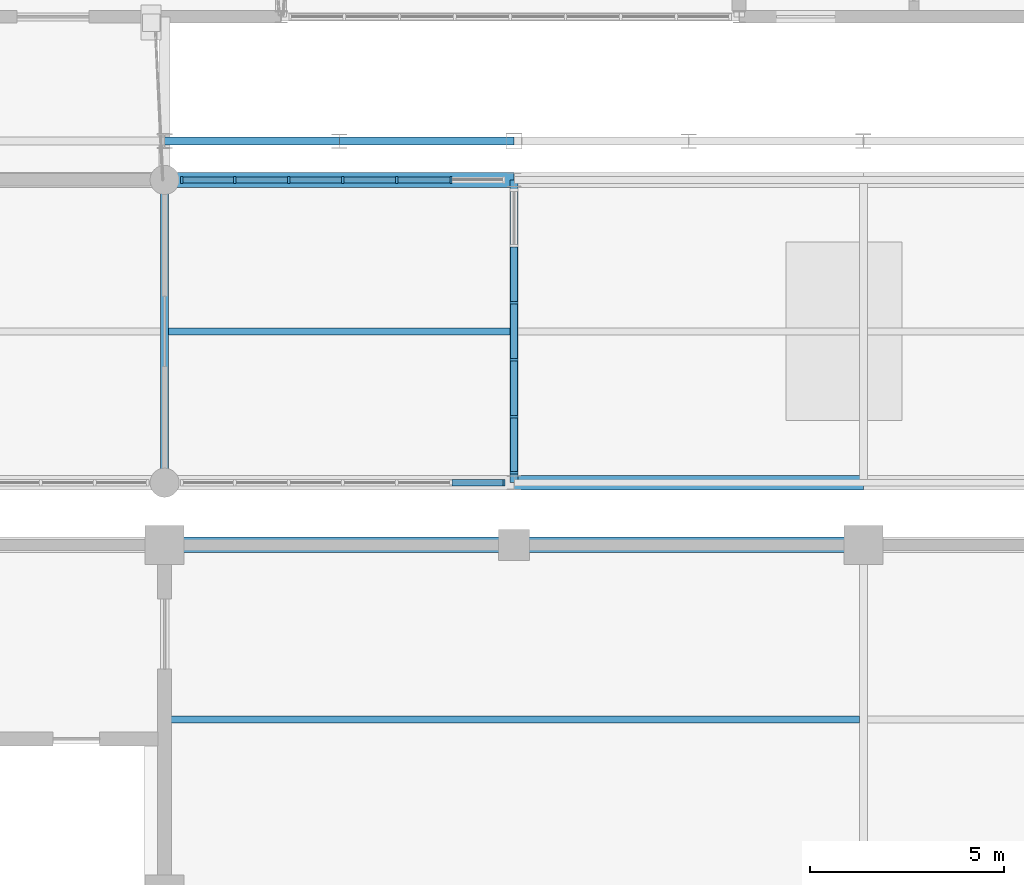
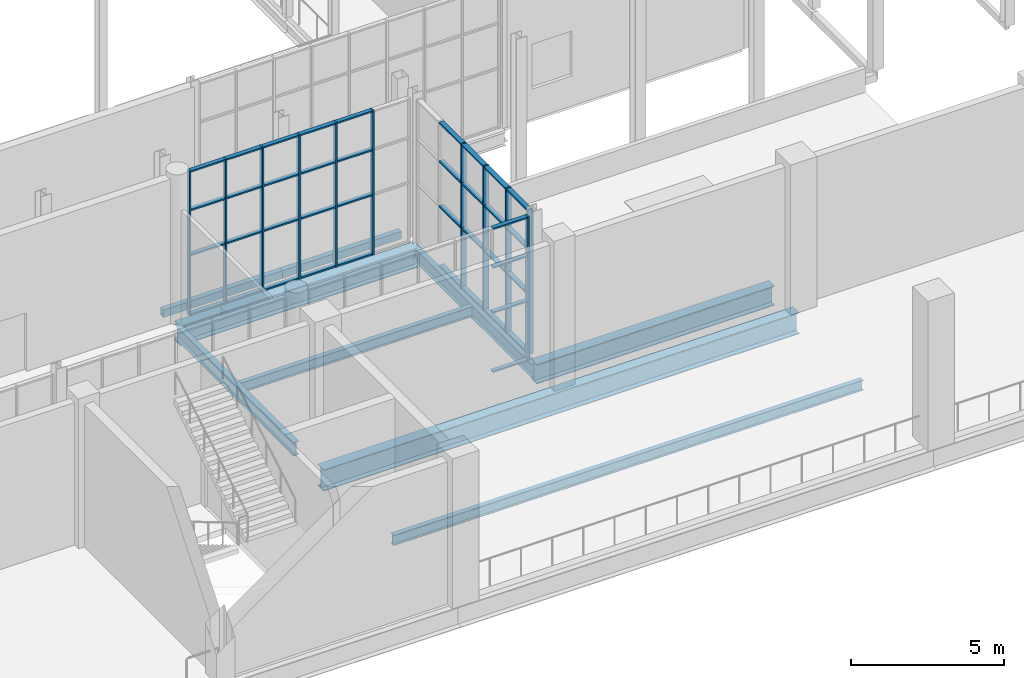
# One storey, part 67 of 159: 51 members, 9 beams, 3 elements without a shape of their own.
"""IFC4 building model written with IfcOpenShell, lengths in metres."""

import ifcopenshell
import ifcopenshell.guid

model = None  # the IFC model being written
_history = None  # IfcOwnerHistory: only IFC2X3 demands one
_inside = {}  # id of a spatial element -> (the spatial element, [elements in it])
_under = {}  # id of a project, library or spatial element -> (it, [spatial elements below it])
_declared = {}  # id of a project -> (the project, [libraries it declares])
_typed = {}  # id of a type object -> (the type object, [elements of that type])
_made_of = {}  # id of a material, layer set ... -> (it, [elements and type objects made of it])


def new_model(schema):
    """Start an empty IFC model of exactly this schema.

    Asked for "IFC4X3", IfcOpenShell would pick the latest addendum, in which some entities
    have other attributes; the version numbers below select the first issue.
    IFC2X3 requires an IfcOwnerHistory on every rooted entity: one is made here for all.
    """
    global model, _history
    if schema == "IFC4X3":
        model = ifcopenshell.file(schema_version=(4, 3, 0, 0))
    else:
        model = ifcopenshell.file(schema=schema)
    _inside.clear()
    _under.clear()
    _declared.clear()
    _typed.clear()
    _made_of.clear()
    _history = None
    if model.schema == "IFC2X3":
        org = make("IfcOrganization", Name="unknown")
        user = make(
            "IfcPersonAndOrganization",
            ThePerson=make("IfcPerson", FamilyName="unknown"),
            TheOrganization=org,
        )
        app = make(
            "IfcApplication",
            ApplicationDeveloper=org,
            Version="unknown",
            ApplicationFullName="unknown",
            ApplicationIdentifier="unknown",
        )
        _history = make(
            "IfcOwnerHistory",
            OwningUser=user,
            OwningApplication=app,
            ChangeAction="ADDED",
            CreationDate=0,
        )
    return model


def make(cls, **values):
    """One entity of the class cls with the attributes given. An attribute that is None is left unset."""
    return model.create_entity(
        cls, **{name: value for name, value in values.items() if value is not None}
    )


def rooted(cls, **values):
    """An entity with a GlobalId (a new one), such as an element, a storey or a relation."""
    return make(cls, GlobalId=ifcopenshell.guid.new(), OwnerHistory=_history, **values)


def si_unit(unit_type, name, prefix=None):
    """IfcSIUnit, for example si_unit("LENGTHUNIT", "METRE", prefix="MILLI")."""
    return make("IfcSIUnit", UnitType=unit_type, Prefix=prefix, Name=name)


def assignment(units):
    """IfcUnitAssignment: the units of a project."""
    return None if units is None else make("IfcUnitAssignment", Units=units)


def point(xyz):
    """IfcCartesianPoint."""
    return None if xyz is None else make("IfcCartesianPoint", Coordinates=xyz)


def direction(xyz):
    """IfcDirection."""
    return None if xyz is None else make("IfcDirection", DirectionRatios=xyz)


def frame(location, z_axis=None, x_axis=None):
    """IfcAxis2Placement3D, a coordinate frame: its origin and axes. An axis left out is left unset."""
    return make(
        "IfcAxis2Placement3D",
        Location=point(location),
        Axis=direction(z_axis),
        RefDirection=direction(x_axis),
    )


def frame_2d(location, x_axis=None):
    """IfcAxis2Placement2D, a coordinate frame in the plane: its origin and x axis."""
    return make(
        "IfcAxis2Placement2D", Location=point(location), RefDirection=direction(x_axis)
    )


def origin():
    """The frame at (0, 0, 0) with its axes left unset."""
    return frame((0.0, 0.0, 0.0))


def origin_2d():
    """The frame at (0, 0) in the plane with its x axis left unset."""
    return frame_2d((0.0, 0.0))


def place(relative_to, where):
    """IfcLocalPlacement: puts the frame where relative to a parent placement (None: the world)."""
    return make(
        "IfcLocalPlacement", PlacementRelTo=relative_to, RelativePlacement=where
    )


def context(
    kind, dimensions, precision=None, world=None, true_north=None, identifier=None
):
    """IfcGeometricRepresentationContext, for example the 3D "Model" context."""
    return make(
        "IfcGeometricRepresentationContext",
        ContextIdentifier=identifier,
        ContextType=kind,
        CoordinateSpaceDimension=dimensions,
        Precision=precision,
        WorldCoordinateSystem=world,
        TrueNorth=true_north,
    )


def subcontext(parent, identifier, kind, view, scale=None):
    """IfcGeometricRepresentationSubContext, for example "Body" below "Model"."""
    return make(
        "IfcGeometricRepresentationSubContext",
        ContextIdentifier=identifier,
        ContextType=kind,
        ParentContext=parent,
        TargetScale=scale,
        TargetView=view,
    )


def project(units=None, contexts=None):
    """IfcProject with its units and contexts."""
    return rooted(
        "IfcProject",
        Name="project",
        RepresentationContexts=contexts,
        UnitsInContext=assignment(units),
    )


def spatial(cls, under=None, at=None, **own):
    """A site, building, storey or space (cls), placed at a placement, below another one or the project."""
    s = rooted(cls, ObjectPlacement=at, **own)
    if under is not None:
        _under.setdefault(under.id(), (under, []))[1].append(s)
    return s


def profile(cls, at=None, kind="AREA", **sizes):
    """A parametric profile (cls). Its sizes go by their IFC names, for example OverallWidth=200.0."""
    return make(cls, ProfileType=kind, Position=at, **sizes)


def rectangle(**sizes):
    """IfcRectangleProfileDef."""
    return profile("IfcRectangleProfileDef", **sizes)


def hollow_rectangle(**sizes):
    """IfcRectangleHollowProfileDef."""
    return profile("IfcRectangleHollowProfileDef", **sizes)


def i_section(**sizes):
    """IfcIShapeProfileDef."""
    return profile("IfcIShapeProfileDef", **sizes)


def extrude(swept, where, along, depth):
    """IfcExtrudedAreaSolid: the profile swept, set in the frame where, extruded along a direction by depth."""
    return make(
        "IfcExtrudedAreaSolid",
        SweptArea=swept,
        Position=where,
        ExtrudedDirection=direction(along),
        Depth=depth,
    )


def shape(context_of_items, identifier, shape_type, items):
    """IfcShapeRepresentation: the items that make up one representation, for example the "Body"."""
    return make(
        "IfcShapeRepresentation",
        ContextOfItems=context_of_items,
        RepresentationIdentifier=identifier,
        RepresentationType=shape_type,
        Items=items,
    )


def material(Name=None, Category=None):
    """IfcMaterial."""
    return make("IfcMaterial", Name=Name, Category=Category)


def layer(
    of_material, thickness, ventilated=None, Name=None, Category=None, Priority=None
):
    """IfcMaterialLayer: one layer of a wall or slab, of a material (None: an air gap)."""
    return make(
        "IfcMaterialLayer",
        Material=of_material,
        LayerThickness=thickness,
        IsVentilated=ventilated,
        Name=Name,
        Category=Category,
        Priority=Priority,
    )


def layer_set(layers, Name=None):
    """IfcMaterialLayerSet."""
    return make("IfcMaterialLayerSet", MaterialLayers=layers, LayerSetName=Name)


def material_profile(
    of_material, cross_section, Name=None, Category=None, Priority=None
):
    """IfcMaterialProfile: a cross section and its material."""
    return make(
        "IfcMaterialProfile",
        Name=Name,
        Material=of_material,
        Profile=cross_section,
        Priority=Priority,
        Category=Category,
    )


def profile_set(profiles, Name=None, composite=None):
    """IfcMaterialProfileSet."""
    return make(
        "IfcMaterialProfileSet",
        Name=Name,
        MaterialProfiles=profiles,
        CompositeProfile=composite,
    )


def made_of(thing, what):
    """Note that an element or type object is made of a material, layer set ...; save() writes the relation."""
    if what is not None:
        _made_of.setdefault(what.id(), (what, []))[1].append(thing)
    return thing


def type_object(cls, material=None, **own):
    """A type object (cls), such as IfcWallType, which elements share."""
    return made_of(rooted(cls, **own), material)


def element(
    cls,
    number,
    at=None,
    inside=None,
    cuts=None,
    type_object=None,
    material=None,
    context=None,
    identifier="Body",
    shape_type=None,
    held_by="IfcProductDefinitionShape",
    body=None,
    shapes=None,
    **own,
):
    """One element of the class cls, such as IfcWall. Its Tag is "e" and its number.

    at: its placement. inside: the storey or other place that contains it. cuts: it is an
    opening in that element (IfcRelVoidsElement). A single representation is given by context,
    identifier, shape_type and body (its items); several are given by shapes. held_by: the class
    of the entity that holds the representations. save() writes the other relations.
    """
    e = rooted(cls, Tag="e%d" % number, ObjectPlacement=at, **own)
    if body is not None:
        shapes = [shape(context, identifier, shape_type, body)]
    if shapes is not None:
        e.Representation = make(held_by, Representations=shapes)
    if inside is not None:
        _inside.setdefault(inside.id(), (inside, []))[1].append(e)
    if cuts is not None:
        rooted(
            "IfcRelVoidsElement", RelatingBuildingElement=cuts, RelatedOpeningElement=e
        )
    if type_object is not None:
        _typed.setdefault(type_object.id(), (type_object, []))[1].append(e)
    return made_of(e, material)


def aggregate(whole, parts):
    """IfcRelAggregates: a whole, such as a stair, and the parts it consists of."""
    return rooted("IfcRelAggregates", RelatingObject=whole, RelatedObjects=parts)


def save(model, path):
    """Write the relations noted so far, then the file.

    IfcRelAggregates (storeys below a building ...), IfcRelContainedInSpatialStructure (elements
    in a storey), IfcRelDefinesByType, IfcRelAssociatesMaterial and IfcRelDeclares: one each for
    every whole, place, type object, material and project.
    """
    for whole, parts in _under.values():
        aggregate(whole, parts)
    for where, things in _inside.values():
        rooted(
            "IfcRelContainedInSpatialStructure",
            RelatedElements=things,
            RelatingStructure=where,
        )
    for kind, things in _typed.values():
        rooted("IfcRelDefinesByType", RelatedObjects=things, RelatingType=kind)
    for what, things in _made_of.values():
        rooted("IfcRelAssociatesMaterial", RelatedObjects=things, RelatingMaterial=what)
    for by, libraries in _declared.values():
        rooted("IfcRelDeclares", RelatingContext=by, RelatedDefinitions=libraries)
    model.write(path)


model = new_model("IFC4")

# Units and contexts
model_context = context("Model", 3, precision=1e-05, world=origin(), true_north=direction((0.0, 1.0)))
body_context = subcontext(model_context, "Body", "Model", "MODEL_VIEW")
ifc_project = project(units=[si_unit("LENGTHUNIT", "METRE"), si_unit("AREAUNIT", "SQUARE_METRE"), si_unit("VOLUMEUNIT", "CUBIC_METRE"), si_unit("PLANEANGLEUNIT", "RADIAN"), si_unit("MASSUNIT", "GRAM", prefix="KILO")], contexts=[model_context])

# Site, building, storey
site_placement = place(None, origin())
site = spatial("IfcSite", under=ifc_project, at=site_placement, CompositionType="ELEMENT")
building_placement = place(site_placement, origin())
building = spatial("IfcBuilding", under=site, at=building_placement, Name="Cazmaro Siding Exhibition Halls", CompositionType="ELEMENT")
storey_placement = place(building_placement, frame((0.0, 0.0, 6.0)))
storey = spatial("IfcBuildingStorey", under=building, at=storey_placement, Name="L01", CompositionType="ELEMENT", Elevation=6.0)

# Beams
ifc_material_1 = material(Name="Steel ASTM A992 Grade 50", Category="steel")
ifc_material_profile_1 = material_profile(ifc_material_1, i_section(OverallWidth=0.2099609375, OverallDepth=0.535888671875, WebThickness=0.010986328125, FlangeThickness=0.01708984375, at=origin_2d()), Name="W21X68")
ifc_profile_set_1 = profile_set([ifc_material_profile_1], Name="Steel ASTM A992 Grade 50")
beam_type_1 = type_object("IfcBeamType", Name="B-02", PredefinedType="BEAM", material=ifc_profile_set_1)
for number, where, z_axis, x_axis, name in (
    (1, (144.0, 55.199951171875, -0.488037109375), (0.0, 1.0, 0.0), (-1.0, 0.0, 0.0), "Beam B-02 BM-1720"),
    (2, (153.0, 55.199951171875, -0.488037109375), (0.0, 1.0, 0.0), (-1.0, 0.0, 0.0), "Beam B-02 BM-1723"),
):
    element("IfcBeam", number, at=place(storey_placement, frame(where, z_axis=z_axis, x_axis=x_axis)), inside=storey, type_object=beam_type_1, Name=name, PredefinedType="BEAM", context=body_context, shape_type="SweptSolid", body=[
        extrude(i_section(OverallWidth=0.2099609375, OverallDepth=0.535888671875, WebThickness=0.010986328125, FlangeThickness=0.01708984375, at=origin_2d()), origin(), (0.0, 0.0, 1.0), 7.800048828125),
    ])

# Curtain wall, member
ifc_material_2 = material(Name="Anodized Bronze Aluminum and Solar-Control Low-E Glazing", Category="aluminium")
ifc_layer_1 = layer(ifc_material_2, 0.179931640625)
ifc_layer_set_1 = layer_set([ifc_layer_1], Name="Anodized Bronze Aluminum and Solar-Control Low-E Glazing")
curtain_wall_type_1 = type_object("IfcCurtainWallType", Name="CWS-01", PredefinedType="USERDEFINED", material=ifc_layer_set_1)
curtain_wall_1_placement = place(storey_placement, origin())
curtain_wall_1 = element("IfcCurtainWall", 3, at=curtain_wall_1_placement, inside=storey, type_object=curtain_wall_type_1, Name="Glazed Curtain Wall CWS-01 CW-201", ObjectType="GLAZED CURTAIN WALL", PredefinedType="USERDEFINED")
ifc_material_3 = material(Name="Anodized Bronze Extruded Aluminum", Category="aluminium")
ifc_material_profile_2 = material_profile(ifc_material_3, rectangle(XDim=0.179931640625, YDim=0.06005859375, at=origin_2d()), Name="CWM-01")
ifc_profile_set_2 = profile_set([ifc_material_profile_2], Name="Anodized Bronze Extruded Aluminum")
member_type_1 = type_object("IfcMemberType", Name="CWM-01", PredefinedType="MULLION", material=ifc_profile_set_2)
member_1_placement = place(storey_placement, frame((152.739990234375, 55.199951171875, 0.0), z_axis=(0.0, 0.0, 1.0), x_axis=(0.0, 1.0, 0.0)))
member_1 = element("IfcMember", 4, at=member_1_placement, type_object=member_type_1, Name="CWS-01 mullion 7", PredefinedType="MULLION", context=body_context, shape_type="SweptSolid", body=[
    extrude(rectangle(XDim=0.179931640625, YDim=0.06005859375, at=origin_2d()), origin(), (0.0, 0.0, 1.0), 5.780029296875),
])

# Curtain wall, members
curtain_wall_2_placement = place(storey_placement, origin())
curtain_wall_2 = element("IfcCurtainWall", 5, at=curtain_wall_2_placement, inside=storey, type_object=curtain_wall_type_1, Name="Glazed Curtain Wall CWS-01 CW-203", ObjectType="GLAZED CURTAIN WALL", PredefinedType="USERDEFINED")
member_2_placement = place(storey_placement, frame((151.376220703125, 63.0, 0.0), z_axis=(0.0, 0.0, 1.0), x_axis=(0.0, -1.0, 0.0)))
member_2 = element("IfcMember", 6, at=member_2_placement, type_object=member_type_1, Name="CWS-01 mullion 2", PredefinedType="MULLION", context=body_context, shape_type="SweptSolid", body=[
    extrude(rectangle(XDim=0.179931640625, YDim=0.06005859375, at=origin_2d()), origin(), (0.0, 0.0, 1.0), 5.780029296875),
])
member_3_placement = place(storey_placement, frame((149.982666015625, 63.0, 0.0), z_axis=(0.0, 0.0, 1.0), x_axis=(0.0, -1.0, 0.0)))
member_3 = element("IfcMember", 7, at=member_3_placement, type_object=member_type_1, Name="CWS-01 mullion 3", PredefinedType="MULLION", context=body_context, shape_type="SweptSolid", body=[
    extrude(rectangle(XDim=0.179931640625, YDim=0.06005859375, at=origin_2d()), origin(), (0.0, 0.0, 1.0), 5.780029296875),
])
member_4_placement = place(storey_placement, frame((148.589111328125, 63.0, 0.0), z_axis=(0.0, 0.0, 1.0), x_axis=(0.0, -1.0, 0.0)))
member_4 = element("IfcMember", 8, at=member_4_placement, type_object=member_type_1, Name="CWS-01 mullion 4", PredefinedType="MULLION", context=body_context, shape_type="SweptSolid", body=[
    extrude(rectangle(XDim=0.179931640625, YDim=0.06005859375, at=origin_2d()), origin(), (0.0, 0.0, 1.0), 5.780029296875),
])
member_5_placement = place(storey_placement, frame((147.1953125, 63.0, 0.0), z_axis=(0.0, 0.0, 1.0), x_axis=(0.0, -1.0, 0.0)))
member_5 = element("IfcMember", 9, at=member_5_placement, type_object=member_type_1, Name="CWS-01 mullion 5", PredefinedType="MULLION", context=body_context, shape_type="SweptSolid", body=[
    extrude(rectangle(XDim=0.179931640625, YDim=0.06005859375, at=origin_2d()), origin(), (0.0, 0.0, 1.0), 5.780029296875),
])
member_6_placement = place(storey_placement, frame((145.8017578125, 63.0, 0.0), z_axis=(0.0, 0.0, 1.0), x_axis=(0.0, -1.0, 0.0)))
member_6 = element("IfcMember", 10, at=member_6_placement, type_object=member_type_1, Name="CWS-01 mullion 6", PredefinedType="MULLION", context=body_context, shape_type="SweptSolid", body=[
    extrude(rectangle(XDim=0.179931640625, YDim=0.06005859375, at=origin_2d()), origin(), (0.0, 0.0, 1.0), 5.780029296875),
])
member_7_placement = place(storey_placement, frame((144.43798828125, 63.0, 0.0), z_axis=(0.0, 0.0, 1.0), x_axis=(0.0, -1.0, 0.0)))
member_7 = element("IfcMember", 11, at=member_7_placement, type_object=member_type_1, Name="CWS-01 mullion 7", PredefinedType="MULLION", context=body_context, shape_type="SweptSolid", body=[
    extrude(rectangle(XDim=0.179931640625, YDim=0.06005859375, at=origin_2d()), origin(), (0.0, 0.0, 1.0), 5.780029296875),
])

ifc_material_4 = material(Name="Anodized Bronze Aluminum and Solar-Control Low-E Glazing", Category="aluminium")
ifc_layer_2 = layer(ifc_material_4, 0.199951171875)
ifc_layer_set_2 = layer_set([ifc_layer_2], Name="Anodized Bronze Aluminum and Solar-Control Low-E Glazing")
curtain_wall_type_2 = type_object("IfcCurtainWallType", Name="CWS-02", PredefinedType="USERDEFINED", material=ifc_layer_set_2)
curtain_wall_3_placement = place(storey_placement, origin())
curtain_wall_3 = element("IfcCurtainWall", 12, at=curtain_wall_3_placement, inside=storey, type_object=curtain_wall_type_2, Name="Glazed Curtain Wall CWS-02 CW-208", ObjectType="GLAZED CURTAIN WALL", PredefinedType="USERDEFINED")
ifc_material_5 = material(Name="Anodized Bronze Extruded Aluminum", Category="aluminium")
ifc_material_profile_3 = material_profile(ifc_material_5, rectangle(XDim=0.199951171875, YDim=0.06494140625, at=origin_2d()), Name="CWM-02")
ifc_profile_set_3 = profile_set([ifc_material_profile_3], Name="Anodized Bronze Extruded Aluminum")
member_type_2 = type_object("IfcMemberType", Name="CWM-02", PredefinedType="MULLION", material=ifc_profile_set_3)
member_8_placement = place(storey_placement, frame((153.0, 55.45947265625, 0.0), z_axis=(0.0, 0.0, 1.0), x_axis=(-1.0, 0.0, 0.0)))
member_8 = element("IfcMember", 13, at=member_8_placement, type_object=member_type_2, Name="CWS-02 mullion 1", PredefinedType="MULLION", context=body_context, shape_type="SweptSolid", body=[
    extrude(rectangle(XDim=0.199951171875, YDim=0.06494140625, at=origin_2d()), origin(), (0.0, 0.0, 1.0), 5.780029296875),
])
member_9_placement = place(storey_placement, frame((153.0, 56.896240234375, 0.0), z_axis=(0.0, 0.0, 1.0), x_axis=(-1.0, 0.0, 0.0)))
member_9 = element("IfcMember", 14, at=member_9_placement, type_object=member_type_2, Name="CWS-02 mullion 2", PredefinedType="MULLION", context=body_context, shape_type="SweptSolid", body=[
    extrude(rectangle(XDim=0.199951171875, YDim=0.06494140625, at=origin_2d()), origin(), (0.0, 0.0, 1.0), 5.780029296875),
])
member_10_placement = place(storey_placement, frame((153.0, 58.365478515625, 0.0), z_axis=(0.0, 0.0, 1.0), x_axis=(-1.0, 0.0, 0.0)))
member_10 = element("IfcMember", 15, at=member_10_placement, type_object=member_type_2, Name="CWS-02 mullion 3", PredefinedType="MULLION", context=body_context, shape_type="SweptSolid", body=[
    extrude(rectangle(XDim=0.199951171875, YDim=0.06494140625, at=origin_2d()), origin(), (0.0, 0.0, 1.0), 5.780029296875),
])
member_11_placement = place(storey_placement, frame((153.0, 59.834716796875, 0.0), z_axis=(0.0, 0.0, 1.0), x_axis=(-1.0, 0.0, 0.0)))
member_11 = element("IfcMember", 16, at=member_11_placement, type_object=member_type_2, Name="CWS-02 mullion 4", PredefinedType="MULLION", context=body_context, shape_type="SweptSolid", body=[
    extrude(rectangle(XDim=0.199951171875, YDim=0.06494140625, at=origin_2d()), origin(), (0.0, 0.0, 1.0), 5.780029296875),
])

# Member
ifc_material_6 = material(Name="Anodized Bronze Extruded Aluminum", Category="aluminium")
ifc_material_profile_4 = material_profile(ifc_material_6, rectangle(XDim=0.159912109375, YDim=0.06005859375, at=origin_2d()), Name="CWT-01")
ifc_profile_set_4 = profile_set([ifc_material_profile_4], Name="Anodized Bronze Extruded Aluminum")
member_type_3 = type_object("IfcMemberType", Name="CWT-01", PredefinedType="MULLION", material=ifc_profile_set_4)
member_12_placement = place(storey_placement, frame((151.40625, 55.199951171875, 0.030029296875), z_axis=(1.0, 0.0, 0.0), x_axis=(0.0, 1.0, 0.0)))
member_12 = element("IfcMember", 17, at=member_12_placement, type_object=member_type_3, Name="CWS-01 transom 6.1", ObjectType="TRANSOM", PredefinedType="USERDEFINED", context=body_context, shape_type="SweptSolid", body=[
    extrude(rectangle(XDim=0.159912109375, YDim=0.06005859375, at=origin_2d()), origin(), (0.0, 0.0, 1.0), 1.3037109375),
])

member_13_placement = place(storey_placement, frame((151.40625, 55.199951171875, 2.39990234375), z_axis=(1.0, 0.0, 0.0), x_axis=(0.0, 1.0, 0.0)))
member_13 = element("IfcMember", 18, at=member_13_placement, type_object=member_type_3, Name="CWS-01 transom 6.2", ObjectType="TRANSOM", PredefinedType="USERDEFINED", context=body_context, shape_type="SweptSolid", body=[
    extrude(rectangle(XDim=0.159912109375, YDim=0.06005859375, at=origin_2d()), origin(), (0.0, 0.0, 1.0), 1.3037109375),
])

member_14_placement = place(storey_placement, frame((151.40625, 55.199951171875, 4.199951171875), z_axis=(1.0, 0.0, 0.0), x_axis=(0.0, 1.0, 0.0)))
member_14 = element("IfcMember", 19, at=member_14_placement, type_object=member_type_3, Name="CWS-01 transom 6.3", ObjectType="TRANSOM", PredefinedType="USERDEFINED", context=body_context, shape_type="SweptSolid", body=[
    extrude(rectangle(XDim=0.159912109375, YDim=0.06005859375, at=origin_2d()), origin(), (0.0, 0.0, 1.0), 1.3037109375),
])

member_15_placement = place(storey_placement, frame((151.40625, 55.199951171875, 5.75), z_axis=(1.0, 0.0, 0.0), x_axis=(0.0, 1.0, 0.0)))
member_15 = element("IfcMember", 20, at=member_15_placement, type_object=member_type_3, Name="CWS-01 transom 6.4", ObjectType="TRANSOM", PredefinedType="USERDEFINED", context=body_context, shape_type="SweptSolid", body=[
    extrude(rectangle(XDim=0.159912109375, YDim=0.06005859375, at=origin_2d()), origin(), (0.0, 0.0, 1.0), 1.3037109375),
])

aggregate(curtain_wall_1, [member_1, member_12, member_13, member_14, member_15])

member_16_placement = place(storey_placement, frame((151.346435546875, 63.0, 0.030029296875), z_axis=(-1.0, 0.0, 0.0), x_axis=(0.0, -1.0, 0.0)))
member_16 = element("IfcMember", 21, at=member_16_placement, type_object=member_type_3, Name="CWS-01 transom 2.1", ObjectType="TRANSOM", PredefinedType="USERDEFINED", context=body_context, shape_type="SweptSolid", body=[
    extrude(rectangle(XDim=0.159912109375, YDim=0.06005859375, at=origin_2d()), origin(), (0.0, 0.0, 1.0), 1.333740234375),
])

member_17_placement = place(storey_placement, frame((151.346435546875, 63.0, 2.39990234375), z_axis=(-1.0, 0.0, 0.0), x_axis=(0.0, -1.0, 0.0)))
member_17 = element("IfcMember", 22, at=member_17_placement, type_object=member_type_3, Name="CWS-01 transom 2.2", ObjectType="TRANSOM", PredefinedType="USERDEFINED", context=body_context, shape_type="SweptSolid", body=[
    extrude(rectangle(XDim=0.159912109375, YDim=0.06005859375, at=origin_2d()), origin(), (0.0, 0.0, 1.0), 1.333740234375),
])

member_18_placement = place(storey_placement, frame((151.346435546875, 63.0, 4.199951171875), z_axis=(-1.0, 0.0, 0.0), x_axis=(0.0, -1.0, 0.0)))
member_18 = element("IfcMember", 23, at=member_18_placement, type_object=member_type_3, Name="CWS-01 transom 2.3", ObjectType="TRANSOM", PredefinedType="USERDEFINED", context=body_context, shape_type="SweptSolid", body=[
    extrude(rectangle(XDim=0.159912109375, YDim=0.06005859375, at=origin_2d()), origin(), (0.0, 0.0, 1.0), 1.333740234375),
])

member_19_placement = place(storey_placement, frame((151.346435546875, 63.0, 5.75), z_axis=(-1.0, 0.0, 0.0), x_axis=(0.0, -1.0, 0.0)))
member_19 = element("IfcMember", 24, at=member_19_placement, type_object=member_type_3, Name="CWS-01 transom 2.4", ObjectType="TRANSOM", PredefinedType="USERDEFINED", context=body_context, shape_type="SweptSolid", body=[
    extrude(rectangle(XDim=0.159912109375, YDim=0.06005859375, at=origin_2d()), origin(), (0.0, 0.0, 1.0), 1.333740234375),
])

member_20_placement = place(storey_placement, frame((149.95263671875, 63.0, 0.030029296875), z_axis=(-1.0, 0.0, 0.0), x_axis=(0.0, -1.0, 0.0)))
member_20 = element("IfcMember", 25, at=member_20_placement, type_object=member_type_3, Name="CWS-01 transom 3.1", ObjectType="TRANSOM", PredefinedType="USERDEFINED", context=body_context, shape_type="SweptSolid", body=[
    extrude(rectangle(XDim=0.159912109375, YDim=0.06005859375, at=origin_2d()), origin(), (0.0, 0.0, 1.0), 1.333740234375),
])

member_21_placement = place(storey_placement, frame((149.95263671875, 63.0, 2.39990234375), z_axis=(-1.0, 0.0, 0.0), x_axis=(0.0, -1.0, 0.0)))
member_21 = element("IfcMember", 26, at=member_21_placement, type_object=member_type_3, Name="CWS-01 transom 3.2", ObjectType="TRANSOM", PredefinedType="USERDEFINED", context=body_context, shape_type="SweptSolid", body=[
    extrude(rectangle(XDim=0.159912109375, YDim=0.06005859375, at=origin_2d()), origin(), (0.0, 0.0, 1.0), 1.333740234375),
])

member_22_placement = place(storey_placement, frame((149.95263671875, 63.0, 4.199951171875), z_axis=(-1.0, 0.0, 0.0), x_axis=(0.0, -1.0, 0.0)))
member_22 = element("IfcMember", 27, at=member_22_placement, type_object=member_type_3, Name="CWS-01 transom 3.3", ObjectType="TRANSOM", PredefinedType="USERDEFINED", context=body_context, shape_type="SweptSolid", body=[
    extrude(rectangle(XDim=0.159912109375, YDim=0.06005859375, at=origin_2d()), origin(), (0.0, 0.0, 1.0), 1.333740234375),
])

member_23_placement = place(storey_placement, frame((149.95263671875, 63.0, 5.75), z_axis=(-1.0, 0.0, 0.0), x_axis=(0.0, -1.0, 0.0)))
member_23 = element("IfcMember", 28, at=member_23_placement, type_object=member_type_3, Name="CWS-01 transom 3.4", ObjectType="TRANSOM", PredefinedType="USERDEFINED", context=body_context, shape_type="SweptSolid", body=[
    extrude(rectangle(XDim=0.159912109375, YDim=0.06005859375, at=origin_2d()), origin(), (0.0, 0.0, 1.0), 1.333740234375),
])

member_24_placement = place(storey_placement, frame((148.55908203125, 63.0, 0.030029296875), z_axis=(-1.0, 0.0, 0.0), x_axis=(0.0, -1.0, 0.0)))
member_24 = element("IfcMember", 29, at=member_24_placement, type_object=member_type_3, Name="CWS-01 transom 4.1", ObjectType="TRANSOM", PredefinedType="USERDEFINED", context=body_context, shape_type="SweptSolid", body=[
    extrude(rectangle(XDim=0.159912109375, YDim=0.06005859375, at=origin_2d()), origin(), (0.0, 0.0, 1.0), 1.333740234375),
])

member_25_placement = place(storey_placement, frame((148.55908203125, 63.0, 2.39990234375), z_axis=(-1.0, 0.0, 0.0), x_axis=(0.0, -1.0, 0.0)))
member_25 = element("IfcMember", 30, at=member_25_placement, type_object=member_type_3, Name="CWS-01 transom 4.2", ObjectType="TRANSOM", PredefinedType="USERDEFINED", context=body_context, shape_type="SweptSolid", body=[
    extrude(rectangle(XDim=0.159912109375, YDim=0.06005859375, at=origin_2d()), origin(), (0.0, 0.0, 1.0), 1.333740234375),
])

member_26_placement = place(storey_placement, frame((148.55908203125, 63.0, 4.199951171875), z_axis=(-1.0, 0.0, 0.0), x_axis=(0.0, -1.0, 0.0)))
member_26 = element("IfcMember", 31, at=member_26_placement, type_object=member_type_3, Name="CWS-01 transom 4.3", ObjectType="TRANSOM", PredefinedType="USERDEFINED", context=body_context, shape_type="SweptSolid", body=[
    extrude(rectangle(XDim=0.159912109375, YDim=0.06005859375, at=origin_2d()), origin(), (0.0, 0.0, 1.0), 1.333740234375),
])

member_27_placement = place(storey_placement, frame((148.55908203125, 63.0, 5.75), z_axis=(-1.0, 0.0, 0.0), x_axis=(0.0, -1.0, 0.0)))
member_27 = element("IfcMember", 32, at=member_27_placement, type_object=member_type_3, Name="CWS-01 transom 4.4", ObjectType="TRANSOM", PredefinedType="USERDEFINED", context=body_context, shape_type="SweptSolid", body=[
    extrude(rectangle(XDim=0.159912109375, YDim=0.06005859375, at=origin_2d()), origin(), (0.0, 0.0, 1.0), 1.333740234375),
])

member_28_placement = place(storey_placement, frame((147.165283203125, 63.0, 0.030029296875), z_axis=(-1.0, 0.0, 0.0), x_axis=(0.0, -1.0, 0.0)))
member_28 = element("IfcMember", 33, at=member_28_placement, type_object=member_type_3, Name="CWS-01 transom 5.1", ObjectType="TRANSOM", PredefinedType="USERDEFINED", context=body_context, shape_type="SweptSolid", body=[
    extrude(rectangle(XDim=0.159912109375, YDim=0.06005859375, at=origin_2d()), origin(), (0.0, 0.0, 1.0), 1.33349609375),
])

member_29_placement = place(storey_placement, frame((147.165283203125, 63.0, 2.39990234375), z_axis=(-1.0, 0.0, 0.0), x_axis=(0.0, -1.0, 0.0)))
member_29 = element("IfcMember", 34, at=member_29_placement, type_object=member_type_3, Name="CWS-01 transom 5.2", ObjectType="TRANSOM", PredefinedType="USERDEFINED", context=body_context, shape_type="SweptSolid", body=[
    extrude(rectangle(XDim=0.159912109375, YDim=0.06005859375, at=origin_2d()), origin(), (0.0, 0.0, 1.0), 1.33349609375),
])

member_30_placement = place(storey_placement, frame((147.165283203125, 63.0, 4.199951171875), z_axis=(-1.0, 0.0, 0.0), x_axis=(0.0, -1.0, 0.0)))
member_30 = element("IfcMember", 35, at=member_30_placement, type_object=member_type_3, Name="CWS-01 transom 5.3", ObjectType="TRANSOM", PredefinedType="USERDEFINED", context=body_context, shape_type="SweptSolid", body=[
    extrude(rectangle(XDim=0.159912109375, YDim=0.06005859375, at=origin_2d()), origin(), (0.0, 0.0, 1.0), 1.33349609375),
])

member_31_placement = place(storey_placement, frame((147.165283203125, 63.0, 5.75), z_axis=(-1.0, 0.0, 0.0), x_axis=(0.0, -1.0, 0.0)))
member_31 = element("IfcMember", 36, at=member_31_placement, type_object=member_type_3, Name="CWS-01 transom 5.4", ObjectType="TRANSOM", PredefinedType="USERDEFINED", context=body_context, shape_type="SweptSolid", body=[
    extrude(rectangle(XDim=0.159912109375, YDim=0.06005859375, at=origin_2d()), origin(), (0.0, 0.0, 1.0), 1.33349609375),
])

member_32_placement = place(storey_placement, frame((145.771728515625, 63.0, 0.030029296875), z_axis=(-1.0, 0.0, 0.0), x_axis=(0.0, -1.0, 0.0)))
member_32 = element("IfcMember", 37, at=member_32_placement, type_object=member_type_3, Name="CWS-01 transom 6.1", ObjectType="TRANSOM", PredefinedType="USERDEFINED", context=body_context, shape_type="SweptSolid", body=[
    extrude(rectangle(XDim=0.159912109375, YDim=0.06005859375, at=origin_2d()), origin(), (0.0, 0.0, 1.0), 1.3037109375),
])

member_33_placement = place(storey_placement, frame((145.771728515625, 63.0, 2.39990234375), z_axis=(-1.0, 0.0, 0.0), x_axis=(0.0, -1.0, 0.0)))
member_33 = element("IfcMember", 38, at=member_33_placement, type_object=member_type_3, Name="CWS-01 transom 6.2", ObjectType="TRANSOM", PredefinedType="USERDEFINED", context=body_context, shape_type="SweptSolid", body=[
    extrude(rectangle(XDim=0.159912109375, YDim=0.06005859375, at=origin_2d()), origin(), (0.0, 0.0, 1.0), 1.3037109375),
])

member_34_placement = place(storey_placement, frame((145.771728515625, 63.0, 4.199951171875), z_axis=(-1.0, 0.0, 0.0), x_axis=(0.0, -1.0, 0.0)))
member_34 = element("IfcMember", 39, at=member_34_placement, type_object=member_type_3, Name="CWS-01 transom 6.3", ObjectType="TRANSOM", PredefinedType="USERDEFINED", context=body_context, shape_type="SweptSolid", body=[
    extrude(rectangle(XDim=0.159912109375, YDim=0.06005859375, at=origin_2d()), origin(), (0.0, 0.0, 1.0), 1.3037109375),
])

member_35_placement = place(storey_placement, frame((145.771728515625, 63.0, 5.75), z_axis=(-1.0, 0.0, 0.0), x_axis=(0.0, -1.0, 0.0)))
member_35 = element("IfcMember", 40, at=member_35_placement, type_object=member_type_3, Name="CWS-01 transom 6.4", ObjectType="TRANSOM", PredefinedType="USERDEFINED", context=body_context, shape_type="SweptSolid", body=[
    extrude(rectangle(XDim=0.159912109375, YDim=0.06005859375, at=origin_2d()), origin(), (0.0, 0.0, 1.0), 1.3037109375),
])

aggregate(curtain_wall_2, [member_2, member_3, member_4, member_5, member_6, member_7, member_16, member_17, member_18, member_19, member_20, member_21, member_22, member_23, member_24, member_25, member_26, member_27, member_28, member_29, member_30, member_31, member_32, member_33, member_34, member_35])

ifc_material_7 = material(Name="Anodized Bronze Extruded Aluminum", Category="aluminium")
ifc_material_profile_5 = material_profile(ifc_material_7, rectangle(XDim=0.179931640625, YDim=0.06494140625, at=origin_2d()), Name="CWT-02")
ifc_profile_set_5 = profile_set([ifc_material_profile_5], Name="Anodized Bronze Extruded Aluminum")
member_type_4 = type_object("IfcMemberType", Name="CWT-02", PredefinedType="MULLION", material=ifc_profile_set_5)
member_36_placement = place(storey_placement, frame((153.0, 55.491943359375, 0.032470703125), z_axis=(0.0, 1.0, 0.0), x_axis=(-1.0, 0.0, 0.0)))
member_36 = element("IfcMember", 41, at=member_36_placement, type_object=member_type_4, Name="CWS-02 transom 1.1", ObjectType="TRANSOM", PredefinedType="USERDEFINED", context=body_context, shape_type="SweptSolid", body=[
    extrude(rectangle(XDim=0.179931640625, YDim=0.06494140625, at=origin_2d()), origin(), (0.0, 0.0, 1.0), 1.371826171875),
])

member_37_placement = place(storey_placement, frame((153.0, 55.491943359375, 2.39990234375), z_axis=(0.0, 1.0, 0.0), x_axis=(-1.0, 0.0, 0.0)))
member_37 = element("IfcMember", 42, at=member_37_placement, type_object=member_type_4, Name="CWS-02 transom 1.2", ObjectType="TRANSOM", PredefinedType="USERDEFINED", context=body_context, shape_type="SweptSolid", body=[
    extrude(rectangle(XDim=0.179931640625, YDim=0.06494140625, at=origin_2d()), origin(), (0.0, 0.0, 1.0), 1.371826171875),
])

member_38_placement = place(storey_placement, frame((153.0, 55.491943359375, 4.199951171875), z_axis=(0.0, 1.0, 0.0), x_axis=(-1.0, 0.0, 0.0)))
member_38 = element("IfcMember", 43, at=member_38_placement, type_object=member_type_4, Name="CWS-02 transom 1.3", ObjectType="TRANSOM", PredefinedType="USERDEFINED", context=body_context, shape_type="SweptSolid", body=[
    extrude(rectangle(XDim=0.179931640625, YDim=0.06494140625, at=origin_2d()), origin(), (0.0, 0.0, 1.0), 1.371826171875),
])

member_39_placement = place(storey_placement, frame((153.0, 55.491943359375, 5.74755859375), z_axis=(0.0, 1.0, 0.0), x_axis=(-1.0, 0.0, 0.0)))
member_39 = element("IfcMember", 44, at=member_39_placement, type_object=member_type_4, Name="CWS-02 transom 1.4", ObjectType="TRANSOM", PredefinedType="USERDEFINED", context=body_context, shape_type="SweptSolid", body=[
    extrude(rectangle(XDim=0.179931640625, YDim=0.06494140625, at=origin_2d()), origin(), (0.0, 0.0, 1.0), 1.371826171875),
])

member_40_placement = place(storey_placement, frame((153.0, 56.9287109375, 0.032470703125), z_axis=(0.0, 1.0, 0.0), x_axis=(-1.0, 0.0, 0.0)))
member_40 = element("IfcMember", 45, at=member_40_placement, type_object=member_type_4, Name="CWS-02 transom 2.1", ObjectType="TRANSOM", PredefinedType="USERDEFINED", context=body_context, shape_type="SweptSolid", body=[
    extrude(rectangle(XDim=0.179931640625, YDim=0.06494140625, at=origin_2d()), origin(), (0.0, 0.0, 1.0), 1.404296875),
])

member_41_placement = place(storey_placement, frame((153.0, 56.9287109375, 2.39990234375), z_axis=(0.0, 1.0, 0.0), x_axis=(-1.0, 0.0, 0.0)))
member_41 = element("IfcMember", 46, at=member_41_placement, type_object=member_type_4, Name="CWS-02 transom 2.2", ObjectType="TRANSOM", PredefinedType="USERDEFINED", context=body_context, shape_type="SweptSolid", body=[
    extrude(rectangle(XDim=0.179931640625, YDim=0.06494140625, at=origin_2d()), origin(), (0.0, 0.0, 1.0), 1.404296875),
])

member_42_placement = place(storey_placement, frame((153.0, 56.9287109375, 4.199951171875), z_axis=(0.0, 1.0, 0.0), x_axis=(-1.0, 0.0, 0.0)))
member_42 = element("IfcMember", 47, at=member_42_placement, type_object=member_type_4, Name="CWS-02 transom 2.3", ObjectType="TRANSOM", PredefinedType="USERDEFINED", context=body_context, shape_type="SweptSolid", body=[
    extrude(rectangle(XDim=0.179931640625, YDim=0.06494140625, at=origin_2d()), origin(), (0.0, 0.0, 1.0), 1.404296875),
])

member_43_placement = place(storey_placement, frame((153.0, 56.9287109375, 5.74755859375), z_axis=(0.0, 1.0, 0.0), x_axis=(-1.0, 0.0, 0.0)))
member_43 = element("IfcMember", 48, at=member_43_placement, type_object=member_type_4, Name="CWS-02 transom 2.4", ObjectType="TRANSOM", PredefinedType="USERDEFINED", context=body_context, shape_type="SweptSolid", body=[
    extrude(rectangle(XDim=0.179931640625, YDim=0.06494140625, at=origin_2d()), origin(), (0.0, 0.0, 1.0), 1.404296875),
])

member_44_placement = place(storey_placement, frame((153.0, 58.39794921875, 0.032470703125), z_axis=(0.0, 1.0, 0.0), x_axis=(-1.0, 0.0, 0.0)))
member_44 = element("IfcMember", 49, at=member_44_placement, type_object=member_type_4, Name="CWS-02 transom 3.1", ObjectType="TRANSOM", PredefinedType="USERDEFINED", context=body_context, shape_type="SweptSolid", body=[
    extrude(rectangle(XDim=0.179931640625, YDim=0.06494140625, at=origin_2d()), origin(), (0.0, 0.0, 1.0), 1.404052734375),
])

member_45_placement = place(storey_placement, frame((153.0, 58.39794921875, 2.39990234375), z_axis=(0.0, 1.0, 0.0), x_axis=(-1.0, 0.0, 0.0)))
member_45 = element("IfcMember", 50, at=member_45_placement, type_object=member_type_4, Name="CWS-02 transom 3.2", ObjectType="TRANSOM", PredefinedType="USERDEFINED", context=body_context, shape_type="SweptSolid", body=[
    extrude(rectangle(XDim=0.179931640625, YDim=0.06494140625, at=origin_2d()), origin(), (0.0, 0.0, 1.0), 1.404052734375),
])

member_46_placement = place(storey_placement, frame((153.0, 58.39794921875, 4.199951171875), z_axis=(0.0, 1.0, 0.0), x_axis=(-1.0, 0.0, 0.0)))
member_46 = element("IfcMember", 51, at=member_46_placement, type_object=member_type_4, Name="CWS-02 transom 3.3", ObjectType="TRANSOM", PredefinedType="USERDEFINED", context=body_context, shape_type="SweptSolid", body=[
    extrude(rectangle(XDim=0.179931640625, YDim=0.06494140625, at=origin_2d()), origin(), (0.0, 0.0, 1.0), 1.404052734375),
])

member_47_placement = place(storey_placement, frame((153.0, 58.39794921875, 5.74755859375), z_axis=(0.0, 1.0, 0.0), x_axis=(-1.0, 0.0, 0.0)))
member_47 = element("IfcMember", 52, at=member_47_placement, type_object=member_type_4, Name="CWS-02 transom 3.4", ObjectType="TRANSOM", PredefinedType="USERDEFINED", context=body_context, shape_type="SweptSolid", body=[
    extrude(rectangle(XDim=0.179931640625, YDim=0.06494140625, at=origin_2d()), origin(), (0.0, 0.0, 1.0), 1.404052734375),
])

member_48_placement = place(storey_placement, frame((153.0, 59.8671875, 0.032470703125), z_axis=(0.0, 1.0, 0.0), x_axis=(-1.0, 0.0, 0.0)))
member_48 = element("IfcMember", 53, at=member_48_placement, type_object=member_type_4, Name="CWS-02 transom 4.1", ObjectType="TRANSOM", PredefinedType="USERDEFINED", context=body_context, shape_type="SweptSolid", body=[
    extrude(rectangle(XDim=0.179931640625, YDim=0.06494140625, at=origin_2d()), origin(), (0.0, 0.0, 1.0), 1.404052734375),
])

member_49_placement = place(storey_placement, frame((153.0, 59.8671875, 2.39990234375), z_axis=(0.0, 1.0, 0.0), x_axis=(-1.0, 0.0, 0.0)))
member_49 = element("IfcMember", 54, at=member_49_placement, type_object=member_type_4, Name="CWS-02 transom 4.2", ObjectType="TRANSOM", PredefinedType="USERDEFINED", context=body_context, shape_type="SweptSolid", body=[
    extrude(rectangle(XDim=0.179931640625, YDim=0.06494140625, at=origin_2d()), origin(), (0.0, 0.0, 1.0), 1.404052734375),
])

member_50_placement = place(storey_placement, frame((153.0, 59.8671875, 4.199951171875), z_axis=(0.0, 1.0, 0.0), x_axis=(-1.0, 0.0, 0.0)))
member_50 = element("IfcMember", 55, at=member_50_placement, type_object=member_type_4, Name="CWS-02 transom 4.3", ObjectType="TRANSOM", PredefinedType="USERDEFINED", context=body_context, shape_type="SweptSolid", body=[
    extrude(rectangle(XDim=0.179931640625, YDim=0.06494140625, at=origin_2d()), origin(), (0.0, 0.0, 1.0), 1.404052734375),
])

member_51_placement = place(storey_placement, frame((153.0, 59.8671875, 5.74755859375), z_axis=(0.0, 1.0, 0.0), x_axis=(-1.0, 0.0, 0.0)))
member_51 = element("IfcMember", 56, at=member_51_placement, type_object=member_type_4, Name="CWS-02 transom 4.4", ObjectType="TRANSOM", PredefinedType="USERDEFINED", context=body_context, shape_type="SweptSolid", body=[
    extrude(rectangle(XDim=0.179931640625, YDim=0.06494140625, at=origin_2d()), origin(), (0.0, 0.0, 1.0), 1.404052734375),
])

aggregate(curtain_wall_3, [member_8, member_9, member_10, member_11, member_36, member_37, member_38, member_39, member_40, member_41, member_42, member_43, member_44, member_45, member_46, member_47, member_48, member_49, member_50, member_51])

# Beams
ifc_material_8 = material(Name="Steel ASTM A992 Grade 50", Category="steel")
ifc_material_profile_6 = material_profile(ifc_material_8, i_section(OverallWidth=0.381103515625, OverallDepth=0.779052734375, WebThickness=0.01806640625, FlangeThickness=0.030029296875, at=origin_2d()), Name="W30X191")
ifc_profile_set_6 = profile_set([ifc_material_profile_6], Name="Steel ASTM A992 Grade 50")
beam_type_2 = type_object("IfcBeamType", Name="G-04", PredefinedType="USERDEFINED", material=ifc_profile_set_6)
for number, where, z_axis, x_axis, name in (
    (57, (144.0, 63.0, -0.60888671875), (1.0, 0.0, 0.0), (0.0, 1.0, 0.0), "Beam G-04 BM-1670"),
    (58, (153.0, 55.199951171875, -0.550048828125), (1.0, 0.0, 0.0), (0.0, 1.0, 0.0), "Beam G-04 BM-1678"),
):
    element("IfcBeam", number, at=place(storey_placement, frame(where, z_axis=z_axis, x_axis=x_axis)), inside=storey, type_object=beam_type_2, Name=name, ObjectType="GIRDER", PredefinedType="USERDEFINED", context=body_context, shape_type="SweptSolid", body=[
        extrude(i_section(OverallWidth=0.381103515625, OverallDepth=0.779052734375, WebThickness=0.01806640625, FlangeThickness=0.030029296875, at=origin_2d()), origin(), (0.0, 0.0, 1.0), 9.0),
    ])
ifc_material_9 = material(Name="Steel ASTM A992 Grade 50", Category="steel")
ifc_material_profile_7 = material_profile(ifc_material_9, i_section(OverallWidth=0.40087890625, OverallDepth=0.85595703125, WebThickness=0.01806640625, FlangeThickness=0.029052734375, at=origin_2d()), Name="W33X201")
ifc_profile_set_7 = profile_set([ifc_material_profile_7], Name="Steel ASTM A992 Grade 50")
beam_type_3 = type_object("IfcBeamType", Name="G-09", PredefinedType="USERDEFINED", material=ifc_profile_set_7)
beam_1_placement = place(storey_placement, frame((144.0, 53.60009765625, -0.677978515625), z_axis=(1.0, 0.0, 0.0), x_axis=(0.0, 1.0, 0.0)))
element("IfcBeam", 59, at=beam_1_placement, inside=storey, type_object=beam_type_3, Name="Beam G-09 BM-1257", ObjectType="GIRDER", PredefinedType="USERDEFINED", context=body_context, shape_type="SweptSolid", body=[
    extrude(i_section(OverallWidth=0.40087890625, OverallDepth=0.85595703125, WebThickness=0.01806640625, FlangeThickness=0.029052734375, at=origin_2d()), origin(), (0.0, 0.0, 1.0), 18.0),
])
ifc_material_10 = material(Name="Steel ASTM A992 Grade 50", Category="steel")
ifc_material_profile_8 = material_profile(ifc_material_10, i_section(OverallWidth=0.177978515625, OverallDepth=0.406005859375, WebThickness=0.008056640625, FlangeThickness=0.012939453125, at=origin_2d()), Name="W16X40")
ifc_profile_set_8 = profile_set([ifc_material_profile_8], Name="Steel ASTM A992 Grade 50")
beam_type_4 = type_object("IfcBeamType", Name="J-02", PredefinedType="JOIST", material=ifc_profile_set_8)
beam_2_placement = place(storey_placement, frame((144.10498046875, 59.10009765625, -0.423095703125), z_axis=(1.0, 0.0, 0.0), x_axis=(0.0, 1.0, 0.0)))
element("IfcBeam", 60, at=beam_2_placement, inside=storey, type_object=beam_type_4, Name="Beam J-02 BM-1671", PredefinedType="JOIST", context=body_context, shape_type="SweptSolid", body=[
    extrude(i_section(OverallWidth=0.177978515625, OverallDepth=0.406005859375, WebThickness=0.008056640625, FlangeThickness=0.012939453125, at=origin_2d()), origin(), (0.0, 0.0, 1.0), 8.7900390625),
])
ifc_material_11 = material(Name="Steel ASTM A992 Grade 50", Category="steel")
ifc_material_profile_9 = material_profile(ifc_material_11, i_section(OverallWidth=0.180908203125, OverallDepth=0.4169921875, WebThickness=0.010986328125, FlangeThickness=0.01806640625, at=origin_2d()), Name="W16X57")
ifc_profile_set_9 = profile_set([ifc_material_profile_9], Name="Steel ASTM A992 Grade 50")
beam_type_5 = type_object("IfcBeamType", Name="J-03", PredefinedType="JOIST", material=ifc_profile_set_9)
beam_3_placement = place(storey_placement, frame((144.10693359375, 49.10009765625, -0.4580078125), z_axis=(1.0, 0.0, 0.0), x_axis=(0.0, 1.0, 0.0)))
element("IfcBeam", 61, at=beam_3_placement, inside=storey, type_object=beam_type_5, Name="Beam J-03 BM-1258", PredefinedType="JOIST", context=body_context, shape_type="SweptSolid", body=[
    extrude(i_section(OverallWidth=0.180908203125, OverallDepth=0.4169921875, WebThickness=0.010986328125, FlangeThickness=0.01806640625, at=origin_2d()), origin(), (0.0, 0.0, 1.0), 17.7861328125),
])
ifc_material_12 = material(Name="Steel ASTM A500 Grade C", Category="steel")
ifc_material_profile_10 = material_profile(ifc_material_12, hollow_rectangle(XDim=0.202880859375, YDim=0.304931640625, WallThickness=0.011962890625, at=origin_2d()), Name="HSS12X8X1/2")
ifc_profile_set_10 = profile_set([ifc_material_profile_10], Name="Steel ASTM A500 Grade C")
beam_type_6 = type_object("IfcBeamType", Name="SP-01", PredefinedType="SPANDREL", material=ifc_profile_set_10)
for number, where, z_axis, x_axis, name in (
    (62, (144.0, 64.0, -0.3720703125), (1.0, 0.0, 0.0), (0.0, 1.0, 0.0), "Beam SP-01 BM-0193"),
    (63, (148.5, 64.0, -0.3720703125), (1.0, 0.0, 0.0), (0.0, 1.0, 0.0), "Beam SP-01 BM-0199"),
):
    element("IfcBeam", number, at=place(storey_placement, frame(where, z_axis=z_axis, x_axis=x_axis)), inside=storey, type_object=beam_type_6, Name=name, PredefinedType="SPANDREL", context=body_context, shape_type="SweptSolid", body=[
        extrude(hollow_rectangle(XDim=0.202880859375, YDim=0.304931640625, WallThickness=0.011962890625, at=origin_2d()), origin(), (0.0, 0.0, 1.0), 4.5),
    ])

save(model, "model.ifc")
